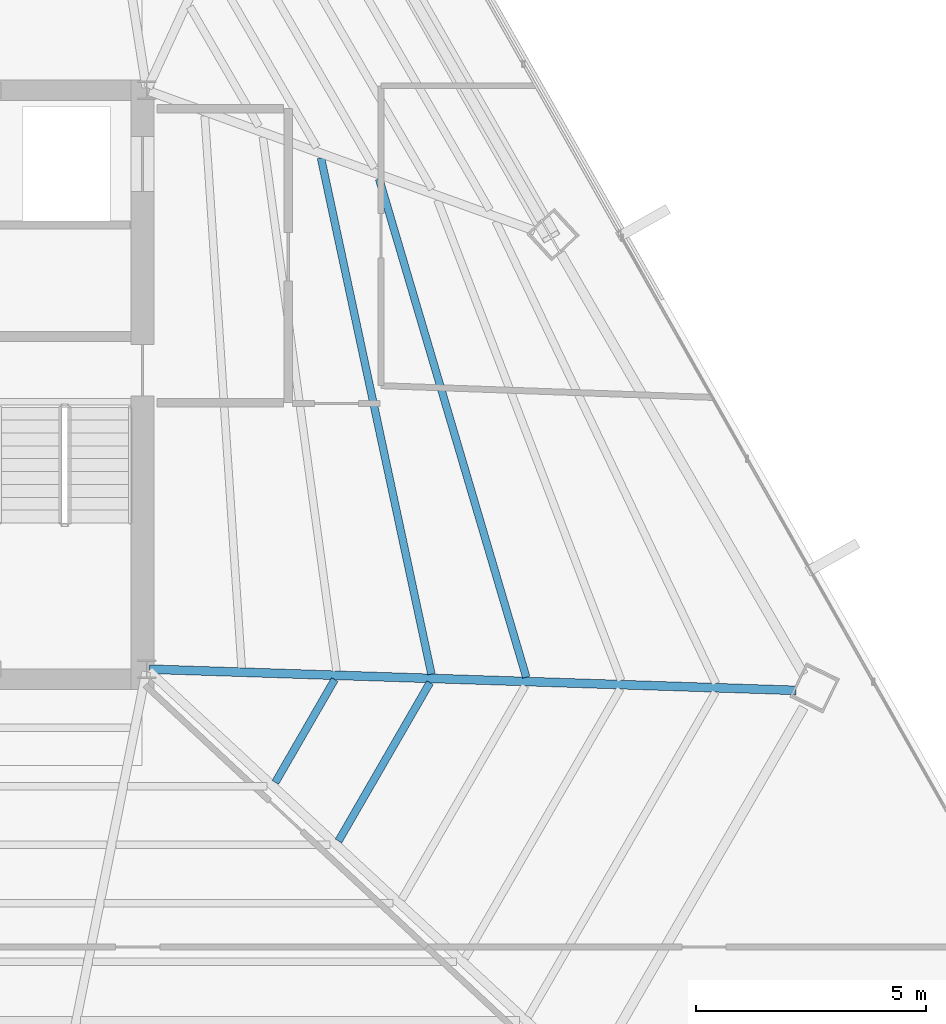
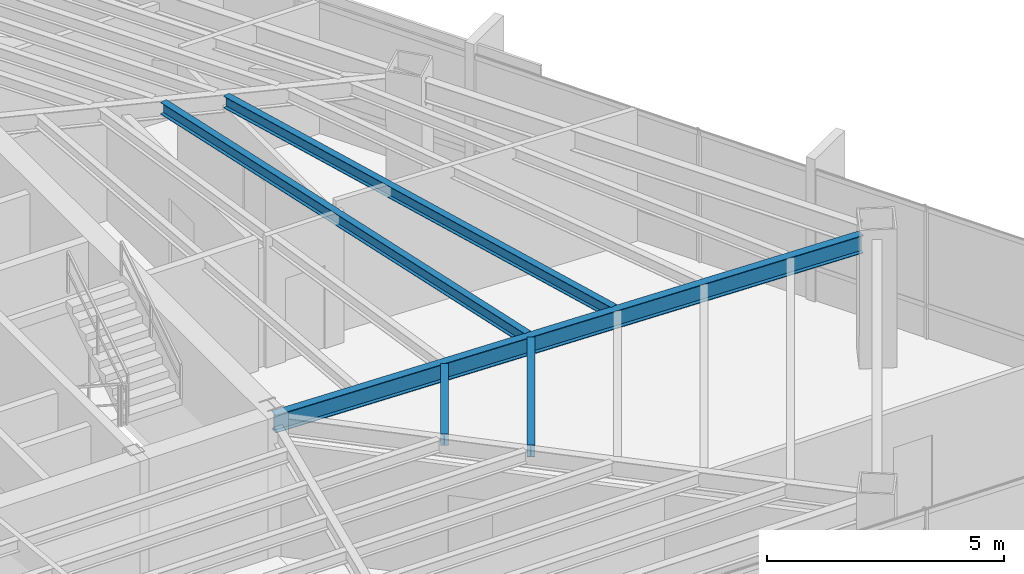
# One storey, part 21 of 41: 5 beams.
"""IFC4 building model written with IfcOpenShell, lengths in metres."""

import ifcopenshell
import ifcopenshell.guid

model = None  # the IFC model being written
_history = None  # IfcOwnerHistory: only IFC2X3 demands one
_inside = {}  # id of a spatial element -> (the spatial element, [elements in it])
_under = {}  # id of a project, library or spatial element -> (it, [spatial elements below it])
_declared = {}  # id of a project -> (the project, [libraries it declares])
_typed = {}  # id of a type object -> (the type object, [elements of that type])
_made_of = {}  # id of a material, layer set ... -> (it, [elements and type objects made of it])


def new_model(schema):
    """Start an empty IFC model of exactly this schema.

    Asked for "IFC4X3", IfcOpenShell would pick the latest addendum, in which some entities
    have other attributes; the version numbers below select the first issue.
    IFC2X3 requires an IfcOwnerHistory on every rooted entity: one is made here for all.
    """
    global model, _history
    if schema == "IFC4X3":
        model = ifcopenshell.file(schema_version=(4, 3, 0, 0))
    else:
        model = ifcopenshell.file(schema=schema)
    _inside.clear()
    _under.clear()
    _declared.clear()
    _typed.clear()
    _made_of.clear()
    _history = None
    if model.schema == "IFC2X3":
        org = make("IfcOrganization", Name="unknown")
        user = make(
            "IfcPersonAndOrganization",
            ThePerson=make("IfcPerson", FamilyName="unknown"),
            TheOrganization=org,
        )
        app = make(
            "IfcApplication",
            ApplicationDeveloper=org,
            Version="unknown",
            ApplicationFullName="unknown",
            ApplicationIdentifier="unknown",
        )
        _history = make(
            "IfcOwnerHistory",
            OwningUser=user,
            OwningApplication=app,
            ChangeAction="ADDED",
            CreationDate=0,
        )
    return model


def make(cls, **values):
    """One entity of the class cls with the attributes given. An attribute that is None is left unset."""
    return model.create_entity(
        cls, **{name: value for name, value in values.items() if value is not None}
    )


def rooted(cls, **values):
    """An entity with a GlobalId (a new one), such as an element, a storey or a relation."""
    return make(cls, GlobalId=ifcopenshell.guid.new(), OwnerHistory=_history, **values)


def si_unit(unit_type, name, prefix=None):
    """IfcSIUnit, for example si_unit("LENGTHUNIT", "METRE", prefix="MILLI")."""
    return make("IfcSIUnit", UnitType=unit_type, Prefix=prefix, Name=name)


def assignment(units):
    """IfcUnitAssignment: the units of a project."""
    return None if units is None else make("IfcUnitAssignment", Units=units)


def point(xyz):
    """IfcCartesianPoint."""
    return None if xyz is None else make("IfcCartesianPoint", Coordinates=xyz)


def direction(xyz):
    """IfcDirection."""
    return None if xyz is None else make("IfcDirection", DirectionRatios=xyz)


def frame(location, z_axis=None, x_axis=None):
    """IfcAxis2Placement3D, a coordinate frame: its origin and axes. An axis left out is left unset."""
    return make(
        "IfcAxis2Placement3D",
        Location=point(location),
        Axis=direction(z_axis),
        RefDirection=direction(x_axis),
    )


def frame_2d(location, x_axis=None):
    """IfcAxis2Placement2D, a coordinate frame in the plane: its origin and x axis."""
    return make(
        "IfcAxis2Placement2D", Location=point(location), RefDirection=direction(x_axis)
    )


def origin():
    """The frame at (0, 0, 0) with its axes left unset."""
    return frame((0.0, 0.0, 0.0))


def origin_2d():
    """The frame at (0, 0) in the plane with its x axis left unset."""
    return frame_2d((0.0, 0.0))


def place(relative_to, where):
    """IfcLocalPlacement: puts the frame where relative to a parent placement (None: the world)."""
    return make(
        "IfcLocalPlacement", PlacementRelTo=relative_to, RelativePlacement=where
    )


def context(
    kind, dimensions, precision=None, world=None, true_north=None, identifier=None
):
    """IfcGeometricRepresentationContext, for example the 3D "Model" context."""
    return make(
        "IfcGeometricRepresentationContext",
        ContextIdentifier=identifier,
        ContextType=kind,
        CoordinateSpaceDimension=dimensions,
        Precision=precision,
        WorldCoordinateSystem=world,
        TrueNorth=true_north,
    )


def subcontext(parent, identifier, kind, view, scale=None):
    """IfcGeometricRepresentationSubContext, for example "Body" below "Model"."""
    return make(
        "IfcGeometricRepresentationSubContext",
        ContextIdentifier=identifier,
        ContextType=kind,
        ParentContext=parent,
        TargetScale=scale,
        TargetView=view,
    )


def project(units=None, contexts=None):
    """IfcProject with its units and contexts."""
    return rooted(
        "IfcProject",
        Name="project",
        RepresentationContexts=contexts,
        UnitsInContext=assignment(units),
    )


def spatial(cls, under=None, at=None, **own):
    """A site, building, storey or space (cls), placed at a placement, below another one or the project."""
    s = rooted(cls, ObjectPlacement=at, **own)
    if under is not None:
        _under.setdefault(under.id(), (under, []))[1].append(s)
    return s


def profile(cls, at=None, kind="AREA", **sizes):
    """A parametric profile (cls). Its sizes go by their IFC names, for example OverallWidth=200.0."""
    return make(cls, ProfileType=kind, Position=at, **sizes)


def i_section(**sizes):
    """IfcIShapeProfileDef."""
    return profile("IfcIShapeProfileDef", **sizes)


def extrude(swept, where, along, depth):
    """IfcExtrudedAreaSolid: the profile swept, set in the frame where, extruded along a direction by depth."""
    return make(
        "IfcExtrudedAreaSolid",
        SweptArea=swept,
        Position=where,
        ExtrudedDirection=direction(along),
        Depth=depth,
    )


def shape(context_of_items, identifier, shape_type, items):
    """IfcShapeRepresentation: the items that make up one representation, for example the "Body"."""
    return make(
        "IfcShapeRepresentation",
        ContextOfItems=context_of_items,
        RepresentationIdentifier=identifier,
        RepresentationType=shape_type,
        Items=items,
    )


def source(mapping_origin, context_of_items, identifier, shape_type, items):
    """IfcRepresentationMap: a shape defined once, which mapped items show again and again."""
    return make(
        "IfcRepresentationMap",
        MappingOrigin=mapping_origin,
        MappedRepresentation=shape(context_of_items, identifier, shape_type, items),
    )


def transform(
    local_origin,
    x_axis=None,
    y_axis=None,
    z_axis=None,
    scale=None,
    scale2=None,
    scale3=None,
    uniform=True,
):
    """IfcCartesianTransformationOperator3D, or its non-uniform kind. x_axis, y_axis, z_axis: its Axis1, 2, 3."""
    if uniform:
        return make(
            "IfcCartesianTransformationOperator3D",
            Axis1=direction(x_axis),
            Axis2=direction(y_axis),
            LocalOrigin=point(local_origin),
            Scale=scale,
            Axis3=direction(z_axis),
        )
    return make(
        "IfcCartesianTransformationOperator3DnonUniform",
        Axis1=direction(x_axis),
        Axis2=direction(y_axis),
        LocalOrigin=point(local_origin),
        Scale=scale,
        Axis3=direction(z_axis),
        Scale2=scale2,
        Scale3=scale3,
    )


def mapped(mapping_source, mapping_target):
    """IfcMappedItem: shows the shape of a source again, moved by a transform."""
    return make(
        "IfcMappedItem", MappingSource=mapping_source, MappingTarget=mapping_target
    )


def material(Name=None, Category=None):
    """IfcMaterial."""
    return make("IfcMaterial", Name=Name, Category=Category)


def material_profile(
    of_material, cross_section, Name=None, Category=None, Priority=None
):
    """IfcMaterialProfile: a cross section and its material."""
    return make(
        "IfcMaterialProfile",
        Name=Name,
        Material=of_material,
        Profile=cross_section,
        Priority=Priority,
        Category=Category,
    )


def profile_set(profiles, Name=None, composite=None):
    """IfcMaterialProfileSet."""
    return make(
        "IfcMaterialProfileSet",
        Name=Name,
        MaterialProfiles=profiles,
        CompositeProfile=composite,
    )


def made_of(thing, what):
    """Note that an element or type object is made of a material, layer set ...; save() writes the relation."""
    if what is not None:
        _made_of.setdefault(what.id(), (what, []))[1].append(thing)
    return thing


def type_object(cls, material=None, **own):
    """A type object (cls), such as IfcWallType, which elements share."""
    return made_of(rooted(cls, **own), material)


def type_shapes(of_type, sources):
    """Give a type object the sources (RepresentationMaps) that its elements show as mapped items."""
    of_type.RepresentationMaps = sources


def element(
    cls,
    number,
    at=None,
    inside=None,
    cuts=None,
    type_object=None,
    material=None,
    context=None,
    identifier="Body",
    shape_type=None,
    held_by="IfcProductDefinitionShape",
    body=None,
    shapes=None,
    **own,
):
    """One element of the class cls, such as IfcWall. Its Tag is "e" and its number.

    at: its placement. inside: the storey or other place that contains it. cuts: it is an
    opening in that element (IfcRelVoidsElement). A single representation is given by context,
    identifier, shape_type and body (its items); several are given by shapes. held_by: the class
    of the entity that holds the representations. save() writes the other relations.
    """
    e = rooted(cls, Tag="e%d" % number, ObjectPlacement=at, **own)
    if body is not None:
        shapes = [shape(context, identifier, shape_type, body)]
    if shapes is not None:
        e.Representation = make(held_by, Representations=shapes)
    if inside is not None:
        _inside.setdefault(inside.id(), (inside, []))[1].append(e)
    if cuts is not None:
        rooted(
            "IfcRelVoidsElement", RelatingBuildingElement=cuts, RelatedOpeningElement=e
        )
    if type_object is not None:
        _typed.setdefault(type_object.id(), (type_object, []))[1].append(e)
    return made_of(e, material)


def aggregate(whole, parts):
    """IfcRelAggregates: a whole, such as a stair, and the parts it consists of."""
    return rooted("IfcRelAggregates", RelatingObject=whole, RelatedObjects=parts)


def save(model, path):
    """Write the relations noted so far, then the file.

    IfcRelAggregates (storeys below a building ...), IfcRelContainedInSpatialStructure (elements
    in a storey), IfcRelDefinesByType, IfcRelAssociatesMaterial and IfcRelDeclares: one each for
    every whole, place, type object, material and project.
    """
    for whole, parts in _under.values():
        aggregate(whole, parts)
    for where, things in _inside.values():
        rooted(
            "IfcRelContainedInSpatialStructure",
            RelatedElements=things,
            RelatingStructure=where,
        )
    for kind, things in _typed.values():
        rooted("IfcRelDefinesByType", RelatedObjects=things, RelatingType=kind)
    for what, things in _made_of.values():
        rooted("IfcRelAssociatesMaterial", RelatedObjects=things, RelatingMaterial=what)
    for by, libraries in _declared.values():
        rooted("IfcRelDeclares", RelatingContext=by, RelatedDefinitions=libraries)
    model.write(path)


model = new_model("IFC4")

# Units and contexts
model_context = context("Model", 3, precision=1e-05, world=origin(), true_north=direction((0.0, 1.0)))
body_context = subcontext(model_context, "Body", "Model", "MODEL_VIEW")
ifc_project = project(units=[si_unit("LENGTHUNIT", "METRE"), si_unit("AREAUNIT", "SQUARE_METRE"), si_unit("VOLUMEUNIT", "CUBIC_METRE"), si_unit("PLANEANGLEUNIT", "RADIAN"), si_unit("MASSUNIT", "GRAM", prefix="KILO")], contexts=[model_context])

# Site, building, storey
site_placement = place(None, origin())
site = spatial("IfcSite", under=ifc_project, at=site_placement, CompositionType="ELEMENT")
building_placement = place(site_placement, origin())
building = spatial("IfcBuilding", under=site, at=building_placement, Name="Caelisora Broadcast Tower", CompositionType="ELEMENT")
storey_placement = place(building_placement, frame((0.0, 0.0, 209.60009765625)))
storey = spatial("IfcBuildingStorey", under=building, at=storey_placement, Name="L55", CompositionType="ELEMENT", Elevation=209.60009765625)

# Beams
ifc_material = material(Name="Steel Grade 350 (AS/NZS 3679.1)", Category="steel")
ifc_material_profile_1 = material_profile(ifc_material, i_section(OverallWidth=0.19091796875, OverallDepth=0.46044921875, WebThickness=0.010009765625, FlangeThickness=0.01611328125, at=origin_2d()), Name="Steel Grade 350 (AS/NZS 3679.1)")
ifc_profile_set_1 = profile_set([ifc_material_profile_1], Name="Steel Grade 350 (AS/NZS 3679.1)")
beam_type_1 = type_object("IfcBeamType", Name="PG06", PredefinedType="BEAM", material=ifc_profile_set_1)
shared_shape_1 = source(origin(), body_context, "Body", "SweptSolid", [
    extrude(i_section(OverallWidth=0.19091796875, OverallDepth=0.46044921875, WebThickness=0.010009765625, FlangeThickness=0.01611328125, at=origin_2d()), origin(), (0.0, 0.0, 1.0), 14.081298828125),
])
type_shapes(beam_type_1, [shared_shape_1])
beam_1_placement = place(storey_placement, frame((45.56005859375, 17.39794921875, 3.169677734375), z_axis=(0.999462393664, -0.032786028283, 0.0), x_axis=(0.032786028283, 0.999462393664, 0.0)))
element("IfcBeam", 1, at=beam_1_placement, inside=storey, type_object=beam_type_1, Name="L55 beam PG06", PredefinedType="BEAM", context=body_context, shape_type="MappedRepresentation", body=[
    mapped(shared_shape_1, transform((0.0, 0.0, 0.0), scale=1.0)),
])
ifc_material_profile_2 = material_profile(ifc_material, i_section(OverallWidth=0.166015625, OverallDepth=0.30712890625, WebThickness=0.006591796875, FlangeThickness=0.01171875, at=origin_2d()), Name="Steel Grade 350 (AS/NZS 3679.1)")
ifc_profile_set_2 = profile_set([ifc_material_profile_2], Name="Steel Grade 350 (AS/NZS 3679.1)")
beam_type_2 = type_object("IfcBeamType", Name="SB03", PredefinedType="JOIST", material=ifc_profile_set_2)
shared_shape_2 = source(origin(), body_context, "Body", "SweptSolid", [
    extrude(i_section(OverallWidth=0.166015625, OverallDepth=0.30712890625, WebThickness=0.006591796875, FlangeThickness=0.01171875, at=origin_2d()), origin(), (0.0, 0.0, 1.0), 11.4931640625),
])
beam_2_placement = place(storey_placement, frame((51.698486328125, 17.289306640625, 3.246337890625), z_axis=(-0.209236040064, 0.977865164293, 0.0), x_axis=(-0.977865164293, -0.209236040064, 0.0)))
element("IfcBeam", 2, at=beam_2_placement, inside=storey, type_object=beam_type_2, Name="L55 beam SB03", PredefinedType="JOIST", context=body_context, shape_type="MappedRepresentation", body=[
    mapped(shared_shape_2, transform((0.0, 0.0, 0.0), scale=1.0)),
])
shared_shape_3 = source(origin(), body_context, "Body", "SweptSolid", [
    extrude(i_section(OverallWidth=0.166015625, OverallDepth=0.30712890625, WebThickness=0.006591796875, FlangeThickness=0.01171875, at=origin_2d()), origin(), (0.0, 0.0, 1.0), 11.310791015625),
])
beam_3_placement = place(storey_placement, frame((53.763427734375, 17.2216796875, 3.246337890625), z_axis=(-0.283168824295, 0.959070079268, 0.0), x_axis=(-0.959070079268, -0.283168824295, 0.0)))
element("IfcBeam", 3, at=beam_3_placement, inside=storey, type_object=beam_type_2, Name="L55 beam SB03", PredefinedType="JOIST", context=body_context, shape_type="MappedRepresentation", body=[
    mapped(shared_shape_3, transform((0.0, 0.0, 0.0), scale=1.0)),
])
shared_shape_4 = source(origin(), body_context, "Body", "SweptSolid", [
    extrude(i_section(OverallWidth=0.166015625, OverallDepth=0.30712890625, WebThickness=0.006591796875, FlangeThickness=0.01171875, at=origin_2d()), origin(), (0.0, 0.0, 1.0), 2.58642578125),
])
beam_4_placement = place(storey_placement, frame((48.2998046875, 14.932861328125, 3.246337890625), z_axis=(0.499986639918, 0.866033117094, 0.0), x_axis=(-0.866033117094, 0.499986639918, 0.0)))
element("IfcBeam", 4, at=beam_4_placement, inside=storey, type_object=beam_type_2, Name="L55 beam SB03", PredefinedType="JOIST", context=body_context, shape_type="MappedRepresentation", body=[
    mapped(shared_shape_4, transform((0.0, 0.0, 0.0), scale=1.0)),
])
shared_shape_5 = source(origin(), body_context, "Body", "SweptSolid", [
    extrude(i_section(OverallWidth=0.166015625, OverallDepth=0.30712890625, WebThickness=0.006591796875, FlangeThickness=0.01171875, at=origin_2d()), origin(), (0.0, 0.0, 1.0), 3.979736328125),
])
type_shapes(beam_type_2, [shared_shape_2, shared_shape_3, shared_shape_4, shared_shape_5])
beam_5_placement = place(storey_placement, frame((49.67578125, 13.658203125, 3.246337890625), z_axis=(0.500025132165, 0.866010893236, 0.0), x_axis=(-0.866010893236, 0.500025132165, 0.0)))
element("IfcBeam", 5, at=beam_5_placement, inside=storey, type_object=beam_type_2, Name="L55 beam SB03", PredefinedType="JOIST", context=body_context, shape_type="MappedRepresentation", body=[
    mapped(shared_shape_5, transform((0.0, 0.0, 0.0), scale=1.0)),
])

save(model, "model.ifc")
